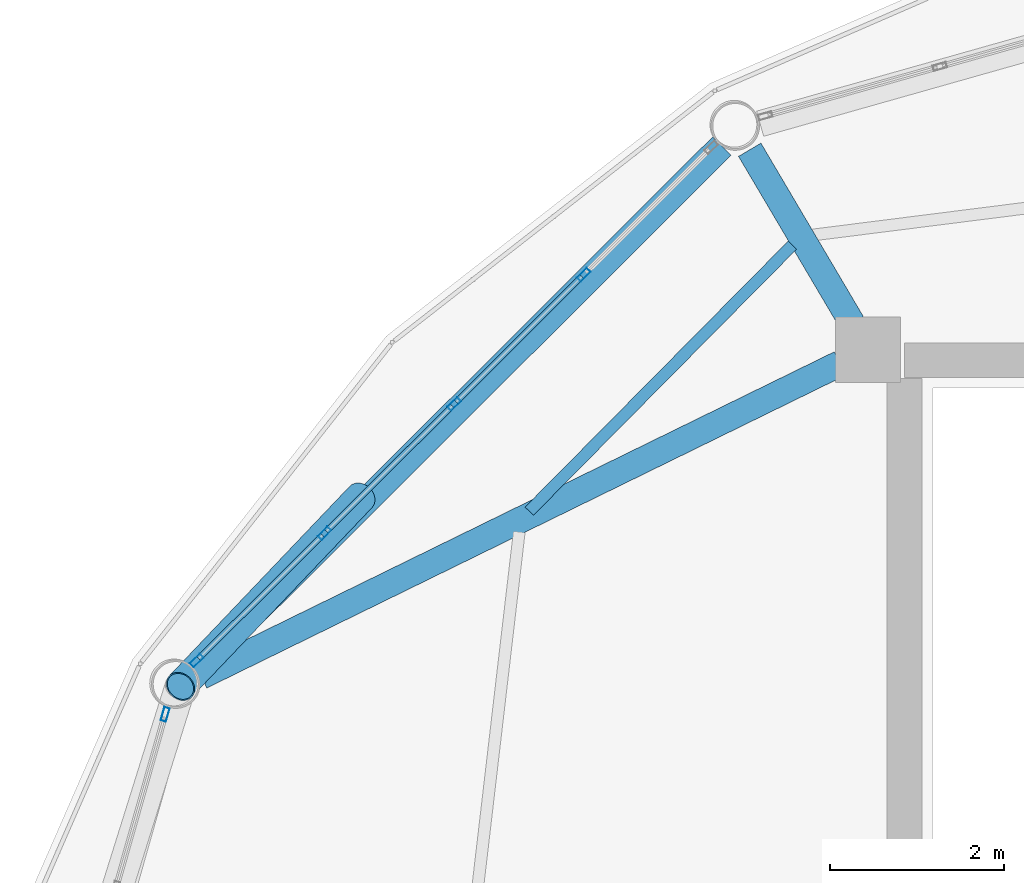
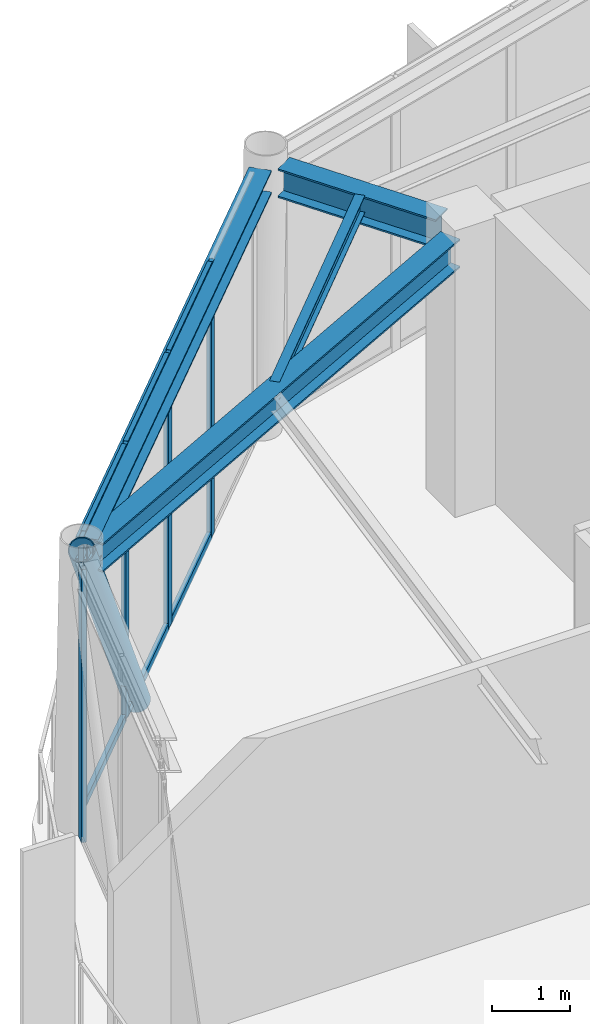
# One storey, part 12 of 26: 12 members, 4 beams, 2 elements without a shape of their own.
"""IFC4 building model written with IfcOpenShell, lengths in metres."""

import ifcopenshell
import ifcopenshell.guid

model = None  # the IFC model being written
_history = None  # IfcOwnerHistory: only IFC2X3 demands one
_inside = {}  # id of a spatial element -> (the spatial element, [elements in it])
_under = {}  # id of a project, library or spatial element -> (it, [spatial elements below it])
_declared = {}  # id of a project -> (the project, [libraries it declares])
_typed = {}  # id of a type object -> (the type object, [elements of that type])
_made_of = {}  # id of a material, layer set ... -> (it, [elements and type objects made of it])


def new_model(schema):
    """Start an empty IFC model of exactly this schema.

    Asked for "IFC4X3", IfcOpenShell would pick the latest addendum, in which some entities
    have other attributes; the version numbers below select the first issue.
    IFC2X3 requires an IfcOwnerHistory on every rooted entity: one is made here for all.
    """
    global model, _history
    if schema == "IFC4X3":
        model = ifcopenshell.file(schema_version=(4, 3, 0, 0))
    else:
        model = ifcopenshell.file(schema=schema)
    _inside.clear()
    _under.clear()
    _declared.clear()
    _typed.clear()
    _made_of.clear()
    _history = None
    if model.schema == "IFC2X3":
        org = make("IfcOrganization", Name="unknown")
        user = make(
            "IfcPersonAndOrganization",
            ThePerson=make("IfcPerson", FamilyName="unknown"),
            TheOrganization=org,
        )
        app = make(
            "IfcApplication",
            ApplicationDeveloper=org,
            Version="unknown",
            ApplicationFullName="unknown",
            ApplicationIdentifier="unknown",
        )
        _history = make(
            "IfcOwnerHistory",
            OwningUser=user,
            OwningApplication=app,
            ChangeAction="ADDED",
            CreationDate=0,
        )
    return model


def make(cls, **values):
    """One entity of the class cls with the attributes given. An attribute that is None is left unset."""
    return model.create_entity(
        cls, **{name: value for name, value in values.items() if value is not None}
    )


def rooted(cls, **values):
    """An entity with a GlobalId (a new one), such as an element, a storey or a relation."""
    return make(cls, GlobalId=ifcopenshell.guid.new(), OwnerHistory=_history, **values)


def si_unit(unit_type, name, prefix=None):
    """IfcSIUnit, for example si_unit("LENGTHUNIT", "METRE", prefix="MILLI")."""
    return make("IfcSIUnit", UnitType=unit_type, Prefix=prefix, Name=name)


def assignment(units):
    """IfcUnitAssignment: the units of a project."""
    return None if units is None else make("IfcUnitAssignment", Units=units)


def point(xyz):
    """IfcCartesianPoint."""
    return None if xyz is None else make("IfcCartesianPoint", Coordinates=xyz)


def direction(xyz):
    """IfcDirection."""
    return None if xyz is None else make("IfcDirection", DirectionRatios=xyz)


def frame(location, z_axis=None, x_axis=None):
    """IfcAxis2Placement3D, a coordinate frame: its origin and axes. An axis left out is left unset."""
    return make(
        "IfcAxis2Placement3D",
        Location=point(location),
        Axis=direction(z_axis),
        RefDirection=direction(x_axis),
    )


def frame_2d(location, x_axis=None):
    """IfcAxis2Placement2D, a coordinate frame in the plane: its origin and x axis."""
    return make(
        "IfcAxis2Placement2D", Location=point(location), RefDirection=direction(x_axis)
    )


def origin():
    """The frame at (0, 0, 0) with its axes left unset."""
    return frame((0.0, 0.0, 0.0))


def origin_2d():
    """The frame at (0, 0) in the plane with its x axis left unset."""
    return frame_2d((0.0, 0.0))


def place(relative_to, where):
    """IfcLocalPlacement: puts the frame where relative to a parent placement (None: the world)."""
    return make(
        "IfcLocalPlacement", PlacementRelTo=relative_to, RelativePlacement=where
    )


def context(
    kind, dimensions, precision=None, world=None, true_north=None, identifier=None
):
    """IfcGeometricRepresentationContext, for example the 3D "Model" context."""
    return make(
        "IfcGeometricRepresentationContext",
        ContextIdentifier=identifier,
        ContextType=kind,
        CoordinateSpaceDimension=dimensions,
        Precision=precision,
        WorldCoordinateSystem=world,
        TrueNorth=true_north,
    )


def subcontext(parent, identifier, kind, view, scale=None):
    """IfcGeometricRepresentationSubContext, for example "Body" below "Model"."""
    return make(
        "IfcGeometricRepresentationSubContext",
        ContextIdentifier=identifier,
        ContextType=kind,
        ParentContext=parent,
        TargetScale=scale,
        TargetView=view,
    )


def project(units=None, contexts=None):
    """IfcProject with its units and contexts."""
    return rooted(
        "IfcProject",
        Name="project",
        RepresentationContexts=contexts,
        UnitsInContext=assignment(units),
    )


def spatial(cls, under=None, at=None, **own):
    """A site, building, storey or space (cls), placed at a placement, below another one or the project."""
    s = rooted(cls, ObjectPlacement=at, **own)
    if under is not None:
        _under.setdefault(under.id(), (under, []))[1].append(s)
    return s


def profile(cls, at=None, kind="AREA", **sizes):
    """A parametric profile (cls). Its sizes go by their IFC names, for example OverallWidth=200.0."""
    return make(cls, ProfileType=kind, Position=at, **sizes)


def hollow_rectangle(**sizes):
    """IfcRectangleHollowProfileDef."""
    return profile("IfcRectangleHollowProfileDef", **sizes)


def hollow_circle(**sizes):
    """IfcCircleHollowProfileDef."""
    return profile("IfcCircleHollowProfileDef", **sizes)


def i_section(**sizes):
    """IfcIShapeProfileDef."""
    return profile("IfcIShapeProfileDef", **sizes)


def extrude(swept, where, along, depth):
    """IfcExtrudedAreaSolid: the profile swept, set in the frame where, extruded along a direction by depth."""
    return make(
        "IfcExtrudedAreaSolid",
        SweptArea=swept,
        Position=where,
        ExtrudedDirection=direction(along),
        Depth=depth,
    )


def shape(context_of_items, identifier, shape_type, items):
    """IfcShapeRepresentation: the items that make up one representation, for example the "Body"."""
    return make(
        "IfcShapeRepresentation",
        ContextOfItems=context_of_items,
        RepresentationIdentifier=identifier,
        RepresentationType=shape_type,
        Items=items,
    )


def material(Name=None, Category=None):
    """IfcMaterial."""
    return make("IfcMaterial", Name=Name, Category=Category)


def layer(
    of_material, thickness, ventilated=None, Name=None, Category=None, Priority=None
):
    """IfcMaterialLayer: one layer of a wall or slab, of a material (None: an air gap)."""
    return make(
        "IfcMaterialLayer",
        Material=of_material,
        LayerThickness=thickness,
        IsVentilated=ventilated,
        Name=Name,
        Category=Category,
        Priority=Priority,
    )


def layer_set(layers, Name=None):
    """IfcMaterialLayerSet."""
    return make("IfcMaterialLayerSet", MaterialLayers=layers, LayerSetName=Name)


def material_profile(
    of_material, cross_section, Name=None, Category=None, Priority=None
):
    """IfcMaterialProfile: a cross section and its material."""
    return make(
        "IfcMaterialProfile",
        Name=Name,
        Material=of_material,
        Profile=cross_section,
        Priority=Priority,
        Category=Category,
    )


def profile_set(profiles, Name=None, composite=None):
    """IfcMaterialProfileSet."""
    return make(
        "IfcMaterialProfileSet",
        Name=Name,
        MaterialProfiles=profiles,
        CompositeProfile=composite,
    )


def made_of(thing, what):
    """Note that an element or type object is made of a material, layer set ...; save() writes the relation."""
    if what is not None:
        _made_of.setdefault(what.id(), (what, []))[1].append(thing)
    return thing


def type_object(cls, material=None, **own):
    """A type object (cls), such as IfcWallType, which elements share."""
    return made_of(rooted(cls, **own), material)


def element(
    cls,
    number,
    at=None,
    inside=None,
    cuts=None,
    type_object=None,
    material=None,
    context=None,
    identifier="Body",
    shape_type=None,
    held_by="IfcProductDefinitionShape",
    body=None,
    shapes=None,
    **own,
):
    """One element of the class cls, such as IfcWall. Its Tag is "e" and its number.

    at: its placement. inside: the storey or other place that contains it. cuts: it is an
    opening in that element (IfcRelVoidsElement). A single representation is given by context,
    identifier, shape_type and body (its items); several are given by shapes. held_by: the class
    of the entity that holds the representations. save() writes the other relations.
    """
    e = rooted(cls, Tag="e%d" % number, ObjectPlacement=at, **own)
    if body is not None:
        shapes = [shape(context, identifier, shape_type, body)]
    if shapes is not None:
        e.Representation = make(held_by, Representations=shapes)
    if inside is not None:
        _inside.setdefault(inside.id(), (inside, []))[1].append(e)
    if cuts is not None:
        rooted(
            "IfcRelVoidsElement", RelatingBuildingElement=cuts, RelatedOpeningElement=e
        )
    if type_object is not None:
        _typed.setdefault(type_object.id(), (type_object, []))[1].append(e)
    return made_of(e, material)


def aggregate(whole, parts):
    """IfcRelAggregates: a whole, such as a stair, and the parts it consists of."""
    return rooted("IfcRelAggregates", RelatingObject=whole, RelatedObjects=parts)


def save(model, path):
    """Write the relations noted so far, then the file.

    IfcRelAggregates (storeys below a building ...), IfcRelContainedInSpatialStructure (elements
    in a storey), IfcRelDefinesByType, IfcRelAssociatesMaterial and IfcRelDeclares: one each for
    every whole, place, type object, material and project.
    """
    for whole, parts in _under.values():
        aggregate(whole, parts)
    for where, things in _inside.values():
        rooted(
            "IfcRelContainedInSpatialStructure",
            RelatedElements=things,
            RelatingStructure=where,
        )
    for kind, things in _typed.values():
        rooted("IfcRelDefinesByType", RelatedObjects=things, RelatingType=kind)
    for what, things in _made_of.values():
        rooted("IfcRelAssociatesMaterial", RelatedObjects=things, RelatingMaterial=what)
    for by, libraries in _declared.values():
        rooted("IfcRelDeclares", RelatingContext=by, RelatedDefinitions=libraries)
    model.write(path)


model = new_model("IFC4")

# Units and contexts
model_context = context("Model", 3, precision=1e-05, world=origin(), true_north=direction((0.0, 1.0)))
body_context = subcontext(model_context, "Body", "Model", "MODEL_VIEW")
ifc_project = project(units=[si_unit("LENGTHUNIT", "METRE"), si_unit("AREAUNIT", "SQUARE_METRE"), si_unit("VOLUMEUNIT", "CUBIC_METRE"), si_unit("PLANEANGLEUNIT", "RADIAN"), si_unit("MASSUNIT", "GRAM", prefix="KILO")], contexts=[model_context])

# Site, building, storey
site_placement = place(None, origin())
site = spatial("IfcSite", under=ifc_project, at=site_placement, CompositionType="ELEMENT")
building_placement = place(site_placement, origin())
building = spatial("IfcBuilding", under=site, at=building_placement, Name="Varnakorn Sky Granary", CompositionType="ELEMENT")
storey_placement = place(building_placement, frame((0.0, 0.0, 289.5)))
storey = spatial("IfcBuildingStorey", under=building, at=storey_placement, Name="L74", CompositionType="ELEMENT", Elevation=289.5)

# Beams
ifc_material_1 = material(Name="Steel S355JR", Category="steel")
ifc_material_profile_1 = material_profile(ifc_material_1, i_section(OverallWidth=0.300048828125, OverallDepth=0.449951171875, WebThickness=0.013916015625, FlangeThickness=0.02587890625, at=origin_2d()), Name="HE 450 B")
ifc_profile_set_1 = profile_set([ifc_material_profile_1], Name="Steel S355JR")
beam_type_1 = type_object("IfcBeamType", Name="BM-RAD-Z5", PredefinedType="BEAM", material=ifc_profile_set_1)
beam_1_placement = place(storey_placement, frame((-2.6005859375, 12.92578125, 4.034912109375), z_axis=(-0.508569702439, 0.86102082307, 0.0), x_axis=(-0.86102082307, -0.508569702439, 0.0)))
element("IfcBeam", 1, at=beam_1_placement, inside=storey, type_object=beam_type_1, Name="Radial Floor Girder RG05 L74", PredefinedType="BEAM", context=body_context, shape_type="SweptSolid", body=[
    extrude(i_section(OverallWidth=0.300048828125, OverallDepth=0.449951171875, WebThickness=0.013916015625, FlangeThickness=0.02587890625, at=origin_2d()), origin(), (0.0, 0.0, 1.0), 2.319091796875),
])
beam_2_placement = place(storey_placement, frame((-2.73876953125, 12.4638671875, 4.034912109375), z_axis=(-0.898134806164, -0.439720217817, 0.0), x_axis=(0.439720217817, -0.898134806164, 0.0)))
element("IfcBeam", 2, at=beam_2_placement, inside=storey, type_object=beam_type_1, Name="Radial Floor Girder RG06 L74", PredefinedType="BEAM", context=body_context, shape_type="SweptSolid", body=[
    extrude(i_section(OverallWidth=0.300048828125, OverallDepth=0.449951171875, WebThickness=0.013916015625, FlangeThickness=0.02587890625, at=origin_2d()), origin(), (0.0, 0.0, 1.0), 8.1884765625),
])
ifc_material_profile_2 = material_profile(ifc_material_1, i_section(OverallWidth=0.135009765625, OverallDepth=0.27001953125, WebThickness=0.006591796875, FlangeThickness=0.01025390625, at=origin_2d()), Name="IPE 270")
ifc_profile_set_2 = profile_set([ifc_material_profile_2], Name="Steel S355JR")
beam_type_2 = type_object("IfcBeamType", Name="BM-SEC-Z5", PredefinedType="BEAM", material=ifc_profile_set_2)
beam_3_placement = place(storey_placement, frame((-3.288818359375, 13.82470703125, 4.125), z_axis=(-0.703269686756, -0.710923165814, 0.0), x_axis=(0.710923165814, -0.703269686756, 0.0)))
element("IfcBeam", 3, at=beam_3_placement, inside=storey, type_object=beam_type_2, Name="Secondary Floor Chord Beam MSB05 L74", PredefinedType="BEAM", context=body_context, shape_type="SweptSolid", body=[
    extrude(i_section(OverallWidth=0.135009765625, OverallDepth=0.27001953125, WebThickness=0.006591796875, FlangeThickness=0.01025390625, at=origin_2d()), origin(), (0.0, 0.0, 1.0), 4.306396484375),
])
ifc_material_profile_3 = material_profile(ifc_material_1, i_section(OverallWidth=0.300048828125, OverallDepth=0.360107421875, WebThickness=0.012451171875, FlangeThickness=0.0224609375, at=origin_2d()), Name="HE 360 B")
ifc_profile_set_3 = profile_set([ifc_material_profile_3], Name="Steel S355JR")
beam_type_3 = type_object("IfcBeamType", Name="BM-SPD-Z5", PredefinedType="SPANDREL", material=ifc_profile_set_3)
beam_4_placement = place(storey_placement, frame((-4.101806640625, 14.96337890625, 4.080078125), z_axis=(-0.707807204834, -0.706405663048, 0.0), x_axis=(0.706405663048, -0.707807204834, 0.0)))
element("IfcBeam", 4, at=beam_4_placement, inside=storey, type_object=beam_type_3, Name="Perimeter Spandrel Ring Beam RB05 L74", PredefinedType="SPANDREL", context=body_context, shape_type="SweptSolid", body=[
    extrude(i_section(OverallWidth=0.300048828125, OverallDepth=0.360107421875, WebThickness=0.012451171875, FlangeThickness=0.0224609375, at=origin_2d()), origin(), (0.0, 0.0, 1.0), 8.535400390625),
])

# Curtain wall, members
ifc_material_2 = material(Name="Anodised Bronze Aluminium Alloy 6063-T6", Category="aluminium")
ifc_layer = layer(ifc_material_2, 0.159912109375, Name="Anodised Bronze Aluminium Alloy 6063-T6")
ifc_layer_set = layer_set([ifc_layer], Name="Anodised Bronze Aluminium Alloy 6063-T6")
curtain_wall_type = type_object("IfcCurtainWallType", Name="CW-OFF-1", PredefinedType="USERDEFINED", material=ifc_layer_set)
curtain_wall_1_placement = place(storey_placement, origin())
curtain_wall_1 = element("IfcCurtainWall", 5, at=curtain_wall_1_placement, inside=storey, type_object=curtain_wall_type, Name="Unitised Curtain Wall CW6 CW-L74-B05", ObjectType="CURTAIN WALL", PredefinedType="USERDEFINED")
ifc_material_profile_4 = material_profile(ifc_material_2, hollow_rectangle(XDim=0.06494140625, YDim=0.159912109375, WallThickness=0.00341796875, at=origin_2d()), Name="ALU MULL 65x160")
ifc_profile_set_4 = profile_set([ifc_material_profile_4], Name="Anodised Bronze Aluminium Alloy 6063-T6")
member_type_1 = type_object("IfcMemberType", Name="CW-OFF-1-MULL", PredefinedType="MULLION", material=ifc_profile_set_4)
member_1_placement = place(storey_placement, frame((-10.1416015625, 9.045166015625, 0.0), z_axis=(0.0, 0.0, 1.0), x_axis=(-0.706103251086, 0.708108889088, 0.0)))
member_1 = element("IfcMember", 6, at=member_1_placement, type_object=member_type_1, Name="CW6 mullion 1", PredefinedType="MULLION", context=body_context, shape_type="SweptSolid", body=[
    extrude(hollow_rectangle(XDim=0.06494140625, YDim=0.159912109375, WallThickness=0.00341796875, at=origin_2d()), origin(), (0.0, 0.0, 1.0), 4.260009765625),
])
member_2_placement = place(storey_placement, frame((-8.6728515625, 10.509765625, 0.0), z_axis=(0.0, 0.0, 1.0), x_axis=(-0.706103251086, 0.708108889088, 0.0)))
member_2 = element("IfcMember", 7, at=member_2_placement, type_object=member_type_1, Name="CW6 mullion 2", PredefinedType="MULLION", context=body_context, shape_type="SweptSolid", body=[
    extrude(hollow_rectangle(XDim=0.06494140625, YDim=0.159912109375, WallThickness=0.00341796875, at=origin_2d()), origin(), (0.0, 0.0, 1.0), 4.260009765625),
])
member_3_placement = place(storey_placement, frame((-7.18115234375, 11.9970703125, 0.0), z_axis=(0.0, 0.0, 1.0), x_axis=(-0.706103251086, 0.708108889088, 0.0)))
member_3 = element("IfcMember", 8, at=member_3_placement, type_object=member_type_1, Name="CW6 mullion 3", PredefinedType="MULLION", context=body_context, shape_type="SweptSolid", body=[
    extrude(hollow_rectangle(XDim=0.06494140625, YDim=0.159912109375, WallThickness=0.00341796875, at=origin_2d()), origin(), (0.0, 0.0, 1.0), 4.260009765625),
])
member_4_placement = place(storey_placement, frame((-5.689453125, 13.484619140625, 0.0), z_axis=(0.0, 0.0, 1.0), x_axis=(-0.706103251086, 0.708108889088, 0.0)))
member_4 = element("IfcMember", 9, at=member_4_placement, type_object=member_type_1, Name="CW6 mullion 4", PredefinedType="MULLION", context=body_context, shape_type="SweptSolid", body=[
    extrude(hollow_rectangle(XDim=0.06494140625, YDim=0.159912109375, WallThickness=0.00341796875, at=origin_2d()), origin(), (0.0, 0.0, 1.0), 4.260009765625),
])

# Curtain wall, member
curtain_wall_2_placement = place(storey_placement, origin())
curtain_wall_2 = element("IfcCurtainWall", 10, at=curtain_wall_2_placement, inside=storey, type_object=curtain_wall_type, Name="Unitised Curtain Wall CW6 CW-L74-B06", ObjectType="CURTAIN WALL", PredefinedType="USERDEFINED")
member_5_placement = place(storey_placement, frame((-10.506591796875, 8.424560546875, 0.0), z_axis=(0.0, 0.0, 1.0), x_axis=(-0.961937230884, 0.273270495734, 0.0)))
member_5 = element("IfcMember", 11, at=member_5_placement, type_object=member_type_1, Name="CW6 mullion 5", PredefinedType="MULLION", context=body_context, shape_type="SweptSolid", body=[
    extrude(hollow_rectangle(XDim=0.06494140625, YDim=0.159912109375, WallThickness=0.00341796875, at=origin_2d()), origin(), (0.0, 0.0, 1.0), 4.260009765625),
])
aggregate(curtain_wall_2, [member_5])

# Member
ifc_material_profile_5 = material_profile(ifc_material_2, hollow_rectangle(XDim=0.06494140625, YDim=0.1201171875, WallThickness=0.00341796875, at=origin_2d()), Name="ALU TRAN 65x120")
ifc_profile_set_5 = profile_set([ifc_material_profile_5], Name="Anodised Bronze Aluminium Alloy 6063-T6")
member_type_2 = type_object("IfcMemberType", Name="CW-OFF-1-TRAN", PredefinedType="USERDEFINED", material=ifc_profile_set_5)
member_6_placement = place(storey_placement, frame((-10.11865234375, 9.068115234375, 0.032470703125), z_axis=(0.708078247137, 0.70613397874, 0.0), x_axis=(-0.70613397874, 0.708078247137, 0.0)))
member_6 = element("IfcMember", 12, at=member_6_placement, type_object=member_type_2, Name="CW6 transom 1.1", ObjectType="TRANSOM", PredefinedType="USERDEFINED", context=body_context, shape_type="SweptSolid", body=[
    extrude(hollow_rectangle(XDim=0.06494140625, YDim=0.1201171875, WallThickness=0.00341796875, at=origin_2d()), origin(), (0.0, 0.0, 1.0), 2.009033203125),
])

member_7_placement = place(storey_placement, frame((-10.11865234375, 9.068115234375, 4.2275390625), z_axis=(0.708078247137, 0.70613397874, 0.0), x_axis=(-0.70613397874, 0.708078247137, 0.0)))
member_7 = element("IfcMember", 13, at=member_7_placement, type_object=member_type_2, Name="CW6 transom 1.2", ObjectType="TRANSOM", PredefinedType="USERDEFINED", context=body_context, shape_type="SweptSolid", body=[
    extrude(hollow_rectangle(XDim=0.06494140625, YDim=0.1201171875, WallThickness=0.00341796875, at=origin_2d()), origin(), (0.0, 0.0, 1.0), 2.009033203125),
])

member_8_placement = place(storey_placement, frame((-8.64990234375, 10.53271484375, 0.032470703125), z_axis=(0.70812260885, 0.706089492087, 0.0), x_axis=(-0.706089492087, 0.70812260885, 0.0)))
member_8 = element("IfcMember", 14, at=member_8_placement, type_object=member_type_2, Name="CW6 transom 2.1", ObjectType="TRANSOM", PredefinedType="USERDEFINED", context=body_context, shape_type="SweptSolid", body=[
    extrude(hollow_rectangle(XDim=0.06494140625, YDim=0.1201171875, WallThickness=0.00341796875, at=origin_2d()), origin(), (0.0, 0.0, 1.0), 2.04150390625),
])

member_9_placement = place(storey_placement, frame((-8.64990234375, 10.53271484375, 4.2275390625), z_axis=(0.70812260885, 0.706089492087, 0.0), x_axis=(-0.706089492087, 0.70812260885, 0.0)))
member_9 = element("IfcMember", 15, at=member_9_placement, type_object=member_type_2, Name="CW6 transom 2.2", ObjectType="TRANSOM", PredefinedType="USERDEFINED", context=body_context, shape_type="SweptSolid", body=[
    extrude(hollow_rectangle(XDim=0.06494140625, YDim=0.1201171875, WallThickness=0.00341796875, at=origin_2d()), origin(), (0.0, 0.0, 1.0), 2.04150390625),
])

member_10_placement = place(storey_placement, frame((-7.158203125, 12.02001953125, 0.032470703125), z_axis=(0.708062814055, 0.706149453977, 0.0), x_axis=(-0.706149453977, 0.708062814055, 0.0)))
member_10 = element("IfcMember", 16, at=member_10_placement, type_object=member_type_2, Name="CW6 transom 3.1", ObjectType="TRANSOM", PredefinedType="USERDEFINED", context=body_context, shape_type="SweptSolid", body=[
    extrude(hollow_rectangle(XDim=0.06494140625, YDim=0.1201171875, WallThickness=0.00341796875, at=origin_2d()), origin(), (0.0, 0.0, 1.0), 2.04150390625),
])

member_11_placement = place(storey_placement, frame((-7.158203125, 12.02001953125, 4.2275390625), z_axis=(0.708062814055, 0.706149453977, 0.0), x_axis=(-0.706149453977, 0.708062814055, 0.0)))
member_11 = element("IfcMember", 17, at=member_11_placement, type_object=member_type_2, Name="CW6 transom 3.2", ObjectType="TRANSOM", PredefinedType="USERDEFINED", context=body_context, shape_type="SweptSolid", body=[
    extrude(hollow_rectangle(XDim=0.06494140625, YDim=0.1201171875, WallThickness=0.00341796875, at=origin_2d()), origin(), (0.0, 0.0, 1.0), 2.04150390625),
])

aggregate(curtain_wall_1, [member_1, member_2, member_3, member_4, member_6, member_7, member_8, member_9, member_10, member_11])

ifc_material_3 = material(Name="Steel S460M", Category="steel")
ifc_material_profile_6 = material_profile(ifc_material_3, hollow_circle(Radius=0.177734375, WallThickness=0.01416015625, at=origin_2d()), Name="CHS 355.6x14")
ifc_profile_set_6 = profile_set([ifc_material_profile_6], Name="Steel S460M")
member_type_3 = type_object("IfcMemberType", Name="MB-DIAG-T5", PredefinedType="BRACE", material=ifc_profile_set_6)
member_12_placement = place(storey_placement, frame((-8.255859375, 10.925537109375, -0.1298828125), z_axis=(-0.389852489248, -0.409349701289, 0.824892634639), x_axis=(0.724141790929, -0.689651119502, 0.0)))
element("IfcMember", 18, at=member_12_placement, inside=storey, type_object=member_type_3, Name="Perimeter CHS Diagrid Brace DG05 L74", PredefinedType="BRACE", context=body_context, shape_type="SweptSolid", body=[
    extrude(hollow_circle(Radius=0.177734375, WallThickness=0.01416015625, at=origin_2d()), origin(), (0.0, 0.0, 1.0), 5.32177734375),
])

save(model, "model.ifc")
